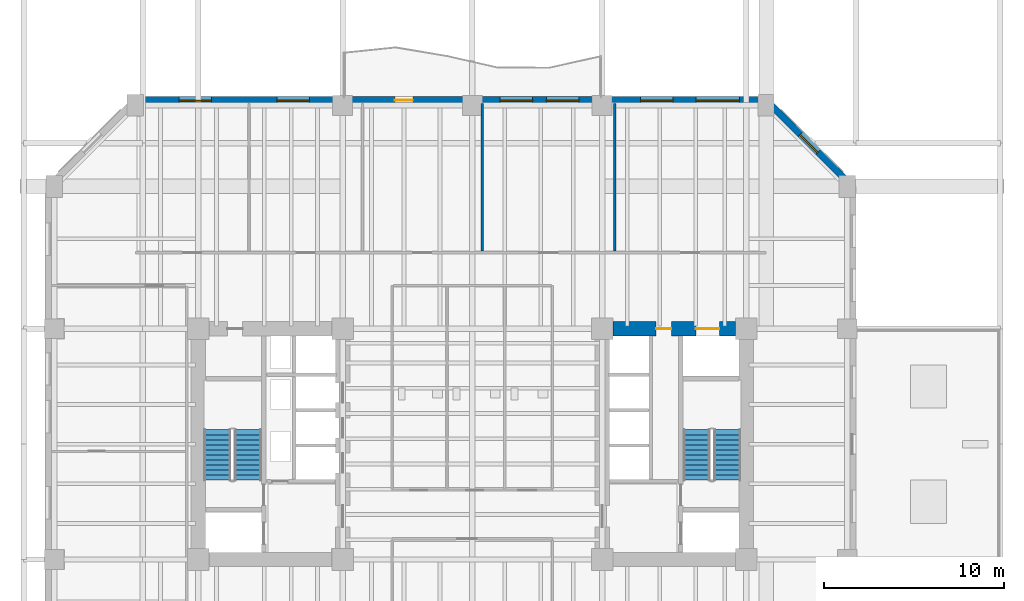
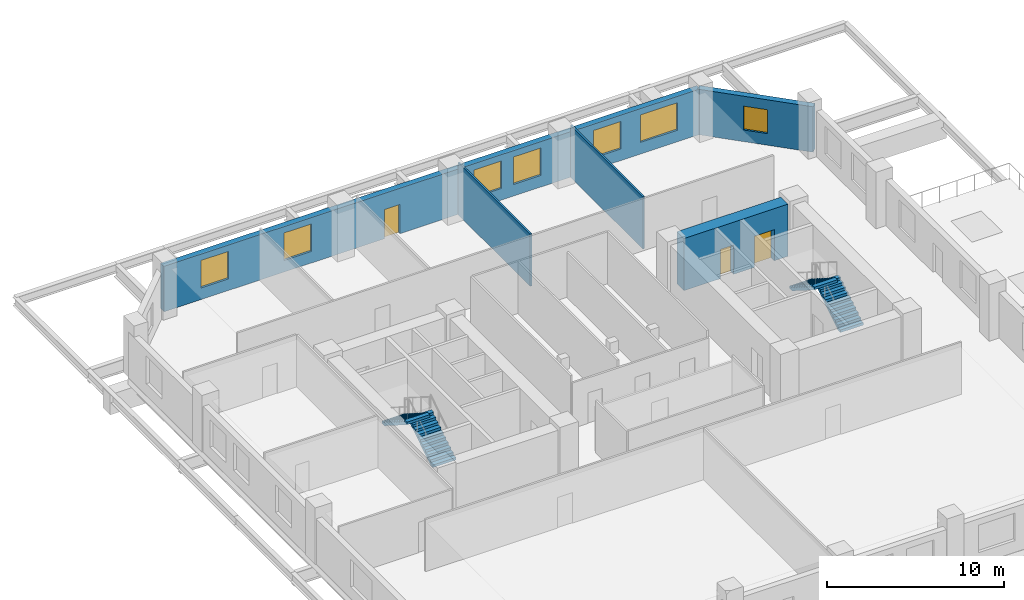
# One storey, part 6 of 11: 7 windows, 5 walls, 4 stair flights, 3 doors, 10 openings, 2 elements without a shape of their own.
"""IFC4 building model written with IfcOpenShell, lengths in metres."""

from ifc_helpers import new_model, si_unit, direction, frame, frame_2d, origin, place, context, subcontext, project, spatial, polyline, rectangle, outline, extrude, material, layer, layer_set, type_object, element, fill, aggregate, save


model = new_model("IFC4")

# Units and contexts
model_context = context("Model", 3, precision=1e-05, world=origin(), true_north=direction((0.0, 1.0)))
body_context = subcontext(model_context, "Body", "Model", "MODEL_VIEW")
ifc_project = project(units=[si_unit("LENGTHUNIT", "METRE"), si_unit("AREAUNIT", "SQUARE_METRE"), si_unit("VOLUMEUNIT", "CUBIC_METRE"), si_unit("PLANEANGLEUNIT", "RADIAN"), si_unit("MASSUNIT", "GRAM", prefix="KILO")], contexts=[model_context])

# Site, building, storey
site_placement = place(None, origin())
site = spatial("IfcSite", under=ifc_project, at=site_placement, CompositionType="ELEMENT")
building_placement = place(site_placement, origin())
building = spatial("IfcBuilding", under=site, at=building_placement, Name="Kranthara Brick Stack", CompositionType="ELEMENT")
storey_placement = place(building_placement, frame((0.0, 0.0, 24.300048828125)))
storey = spatial("IfcBuildingStorey", under=building, at=storey_placement, Name="L05", CompositionType="ELEMENT", Elevation=24.300048828125)

# Wall, openings, door, windows
ifc_material_1 = material(Name="Kiln-fired clay brick masonry M15", Category="masonry")
ifc_layer_1 = layer(ifc_material_1, 0.3798828125)
ifc_layer_set_1 = layer_set([ifc_layer_1], Name="Kiln-fired clay brick masonry M15")
wall_type_1 = type_object("IfcWallType", Name="WL-BRK-PIER-380", PredefinedType="STANDARD", material=ifc_layer_set_1)
wall_1_placement = place(storey_placement, frame((9.300048828125, 46.2900390625, 0.0), z_axis=(0.0, 0.0, 1.0), x_axis=(1.0, 0.0, 0.0)))
wall_1 = element("IfcWall", 1, at=wall_1_placement, inside=storey, type_object=wall_type_1, Name="L05 Exterior Brick Facade Wall NORTH 1", PredefinedType="STANDARD", context=body_context, shape_type="SweptSolid", body=[
    extrude(rectangle(XDim=35.0, YDim=0.3798828125, at=frame_2d((17.5, 0.0))), origin(), (0.0, 0.0, 1.0), 3.135009765625),
])
opening_1_placement = place(wall_1_placement, frame((14.39990234375, 0.0, 0.0)))
opening_1 = element("IfcOpeningElement", 2, at=opening_1_placement, cuts=wall_1, Name="Opening D03", PredefinedType="OPENING", context=body_context, shape_type="SweptSolid", body=[
    extrude(rectangle(XDim=1.0, YDim=2.02001953125, at=frame_2d((0.5, 1.010009765625))), frame((0.0, 0.199951171875, 0.0), z_axis=(0.0, -1.0, 0.0), x_axis=(1.0, 0.0, 0.0)), (0.0, 0.0, 1.0), 0.39990234375),
])
opening_2_placement = place(wall_1_placement, frame((2.425048828125, 0.0, 0.800048828125)))
opening_2 = element("IfcOpeningElement", 3, at=opening_2_placement, cuts=wall_1, Name="Opening WN01", PredefinedType="OPENING", context=body_context, shape_type="SweptSolid", body=[
    extrude(rectangle(XDim=1.800048828125, YDim=1.89990234375, at=frame_2d((0.89990234375, 0.949951171875))), frame((0.0, 0.199951171875, 0.0), z_axis=(0.0, -1.0, 0.0), x_axis=(1.0, 0.0, 0.0)), (0.0, 0.0, 1.0), 0.39990234375),
])
opening_3_placement = place(wall_1_placement, frame((7.85009765625, 0.0, 0.800048828125)))
opening_3 = element("IfcOpeningElement", 4, at=opening_3_placement, cuts=wall_1, Name="Opening WN01", PredefinedType="OPENING", context=body_context, shape_type="SweptSolid", body=[
    extrude(rectangle(XDim=1.800048828125, YDim=1.89990234375, at=frame_2d((0.89990234375, 0.949951171875))), frame((0.0, 0.199951171875, 0.0), z_axis=(0.0, -1.0, 0.0), x_axis=(1.0, 0.0, 0.0)), (0.0, 0.0, 1.0), 0.39990234375),
])
opening_4_placement = place(wall_1_placement, frame((20.240966796875, 0.0, 0.800048828125)))
opening_4 = element("IfcOpeningElement", 5, at=opening_4_placement, cuts=wall_1, Name="Opening WN01", PredefinedType="OPENING", context=body_context, shape_type="SweptSolid", body=[
    extrude(rectangle(XDim=1.800048828125, YDim=1.89990234375, at=frame_2d((0.89990234375, 0.949951171875))), frame((0.0, 0.199951171875, 0.0), z_axis=(0.0, -1.0, 0.0), x_axis=(1.0, 0.0, 0.0)), (0.0, 0.0, 1.0), 0.39990234375),
])
opening_5_placement = place(wall_1_placement, frame((22.80908203125, 0.0, 0.800048828125)))
opening_5 = element("IfcOpeningElement", 6, at=opening_5_placement, cuts=wall_1, Name="Opening WN01", PredefinedType="OPENING", context=body_context, shape_type="SweptSolid", body=[
    extrude(rectangle(XDim=1.800048828125, YDim=1.89990234375, at=frame_2d((0.89990234375, 0.949951171875))), frame((0.0, 0.199951171875, 0.0), z_axis=(0.0, -1.0, 0.0), x_axis=(1.0, 0.0, 0.0)), (0.0, 0.0, 1.0), 0.39990234375),
])
opening_6_placement = place(wall_1_placement, frame((28.032958984375, 0.0, 0.800048828125)))
opening_6 = element("IfcOpeningElement", 7, at=opening_6_placement, cuts=wall_1, Name="Opening WN01", PredefinedType="OPENING", context=body_context, shape_type="SweptSolid", body=[
    extrude(rectangle(XDim=1.800048828125, YDim=1.89990234375, at=frame_2d((0.89990234375, 0.949951171875))), frame((0.0, 0.199951171875, 0.0), z_axis=(0.0, -1.0, 0.0), x_axis=(1.0, 0.0, 0.0)), (0.0, 0.0, 1.0), 0.39990234375),
])
opening_7_placement = place(wall_1_placement, frame((31.116943359375, 0.0, 0.800048828125)))
opening_7 = element("IfcOpeningElement", 8, at=opening_7_placement, cuts=wall_1, Name="Opening WN02", PredefinedType="OPENING", context=body_context, shape_type="SweptSolid", body=[
    extrude(rectangle(XDim=2.39990234375, YDim=1.89990234375, at=frame_2d((1.199951171875, 0.949951171875))), frame((0.0, 0.199951171875, 0.0), z_axis=(0.0, -1.0, 0.0), x_axis=(1.0, 0.0, 0.0)), (0.0, 0.0, 1.0), 0.39990234375),
])
ifc_material_2 = material(Name="Bronze anodised aluminium and laminated glass", Category="aluminium")
door_type_1 = type_object("IfcDoorType", Name="DR-BALC-1000", OperationType="NOTDEFINED", PredefinedType="DOOR", material=ifc_material_2)
door_1_placement = place(opening_1_placement, origin())
door_1 = element("IfcDoor", 9, at=door_1_placement, inside=storey, type_object=door_type_1, Name="L05 North Balcony Terrace Door", OperationType="SINGLE_SWING_RIGHT", OverallHeight=2.02001953125, OverallWidth=1.0, PredefinedType="DOOR", context=body_context, shape_type="SweptSolid", body=[
    extrude(rectangle(XDim=1.0, YDim=2.02001953125, at=frame_2d((0.5, 1.010009765625))), frame((0.0, 0.02490234375, 0.0), z_axis=(0.0, -1.0, 0.0), x_axis=(1.0, 0.0, 0.0)), (0.0, 0.0, 1.0), 0.050048828125),
])
fill(opening_1, door_1)
ifc_material_3 = material(Name="Double-glazed low-E solar control glass", Category="glass")
window_type_1 = type_object("IfcWindowType", Name="WN-OFF-1800x2000", PartitioningType="SINGLE_PANEL", PredefinedType="WINDOW", material=ifc_material_3)
window_1_placement = place(opening_2_placement, origin())
window_1 = element("IfcWindow", 10, at=window_1_placement, inside=storey, type_object=window_type_1, Name="L05 North Deep-Set Brick Window 01", OverallHeight=1.89990234375, OverallWidth=1.800048828125, PartitioningType="SINGLE_PANEL", PredefinedType="WINDOW", context=body_context, shape_type="SweptSolid", body=[
    extrude(rectangle(XDim=1.800048828125, YDim=1.89990234375, at=frame_2d((0.89990234375, 0.949951171875))), frame((0.0, -0.010009765625, 0.0), z_axis=(0.0, -1.0, 0.0), x_axis=(1.0, 0.0, 0.0)), (0.0, 0.0, 1.0), 0.06005859375),
])
fill(opening_2, window_1)
window_2_placement = place(opening_3_placement, origin())
window_2 = element("IfcWindow", 11, at=window_2_placement, inside=storey, type_object=window_type_1, Name="L05 North Deep-Set Brick Window 02", OverallHeight=1.89990234375, OverallWidth=1.800048828125, PartitioningType="SINGLE_PANEL", PredefinedType="WINDOW", context=body_context, shape_type="SweptSolid", body=[
    extrude(rectangle(XDim=1.800048828125, YDim=1.89990234375, at=frame_2d((0.89990234375, 0.949951171875))), frame((0.0, -0.010009765625, 0.0), z_axis=(0.0, -1.0, 0.0), x_axis=(1.0, 0.0, 0.0)), (0.0, 0.0, 1.0), 0.06005859375),
])
fill(opening_3, window_2)
window_3_placement = place(opening_4_placement, origin())
window_3 = element("IfcWindow", 12, at=window_3_placement, inside=storey, type_object=window_type_1, Name="L05 North Deep-Set Brick Window 03", OverallHeight=1.89990234375, OverallWidth=1.800048828125, PartitioningType="SINGLE_PANEL", PredefinedType="WINDOW", context=body_context, shape_type="SweptSolid", body=[
    extrude(rectangle(XDim=1.800048828125, YDim=1.89990234375, at=frame_2d((0.89990234375, 0.949951171875))), frame((0.0, -0.010009765625, 0.0), z_axis=(0.0, -1.0, 0.0), x_axis=(1.0, 0.0, 0.0)), (0.0, 0.0, 1.0), 0.06005859375),
])
fill(opening_4, window_3)
window_4_placement = place(opening_5_placement, origin())
window_4 = element("IfcWindow", 13, at=window_4_placement, inside=storey, type_object=window_type_1, Name="L05 North Deep-Set Brick Window 04", OverallHeight=1.89990234375, OverallWidth=1.800048828125, PartitioningType="SINGLE_PANEL", PredefinedType="WINDOW", context=body_context, shape_type="SweptSolid", body=[
    extrude(rectangle(XDim=1.800048828125, YDim=1.89990234375, at=frame_2d((0.89990234375, 0.949951171875))), frame((0.0, -0.010009765625, 0.0), z_axis=(0.0, -1.0, 0.0), x_axis=(1.0, 0.0, 0.0)), (0.0, 0.0, 1.0), 0.06005859375),
])
fill(opening_5, window_4)
window_5_placement = place(opening_6_placement, origin())
window_5 = element("IfcWindow", 14, at=window_5_placement, inside=storey, type_object=window_type_1, Name="L05 North Deep-Set Brick Window 05", OverallHeight=1.89990234375, OverallWidth=1.800048828125, PartitioningType="SINGLE_PANEL", PredefinedType="WINDOW", context=body_context, shape_type="SweptSolid", body=[
    extrude(rectangle(XDim=1.800048828125, YDim=1.89990234375, at=frame_2d((0.89990234375, 0.949951171875))), frame((0.0, -0.010009765625, 0.0), z_axis=(0.0, -1.0, 0.0), x_axis=(1.0, 0.0, 0.0)), (0.0, 0.0, 1.0), 0.06005859375),
])
fill(opening_6, window_5)
ifc_material_4 = material(Name="Double-glazed low-E solar control glass", Category="glass")
window_type_2 = type_object("IfcWindowType", Name="WN-OFF-2400x2000", PartitioningType="DOUBLE_PANEL_VERTICAL", PredefinedType="WINDOW", material=ifc_material_4)
window_6_placement = place(opening_7_placement, origin())
window_6 = element("IfcWindow", 15, at=window_6_placement, inside=storey, type_object=window_type_2, Name="L05 North Deep-Set Brick Window 06", OverallHeight=1.89990234375, OverallWidth=2.39990234375, PartitioningType="SINGLE_PANEL", PredefinedType="WINDOW", context=body_context, shape_type="SweptSolid", body=[
    extrude(rectangle(XDim=2.39990234375, YDim=1.89990234375, at=frame_2d((1.199951171875, 0.949951171875))), frame((0.0, -0.010009765625, 0.0), z_axis=(0.0, -1.0, 0.0), x_axis=(1.0, 0.0, 0.0)), (0.0, 0.0, 1.0), 0.06005859375),
])
fill(opening_7, window_6)

# Wall, opening, window
wall_2_placement = place(storey_placement, frame((44.300048828125, 46.2900390625, 0.0), z_axis=(0.0, 0.0, 1.0), x_axis=(0.707106781187, -0.707106781187, 0.0)))
wall_2 = element("IfcWall", 16, at=wall_2_placement, inside=storey, type_object=wall_type_1, Name="L05 Exterior Brick Facade Wall NE 1", PredefinedType="STANDARD", context=body_context, shape_type="SweptSolid", body=[
    extrude(rectangle(XDim=6.774169921875, YDim=0.3798828125, at=frame_2d((3.38720703125, 0.0))), origin(), (0.0, 0.0, 1.0), 3.135009765625),
])
opening_8_placement = place(wall_2_placement, frame((2.68701171875, 0.0, 0.800048828125)))
opening_8 = element("IfcOpeningElement", 17, at=opening_8_placement, cuts=wall_2, Name="Opening WN10", PredefinedType="OPENING", context=body_context, shape_type="SweptSolid", body=[
    extrude(rectangle(XDim=1.39990234375, YDim=1.64990234375, at=frame_2d((0.699951171875, 0.824951171875))), frame((0.0, 0.199951171875, 0.0), z_axis=(0.0, -1.0, 0.0), x_axis=(1.0, 0.0, 0.0)), (0.0, 0.0, 1.0), 0.39990234375),
])
ifc_material_5 = material(Name="Double-glazed low-E solar control glass", Category="glass")
window_type_3 = type_object("IfcWindowType", Name="WN-CHM-1400x1750", PartitioningType="SINGLE_PANEL", PredefinedType="WINDOW", material=ifc_material_5)
window_7_placement = place(opening_8_placement, origin())
window_7 = element("IfcWindow", 18, at=window_7_placement, inside=storey, type_object=window_type_3, Name="L05 NE Chamfer Corner Window", OverallHeight=1.64990234375, OverallWidth=1.39990234375, PartitioningType="SINGLE_PANEL", PredefinedType="WINDOW", context=body_context, shape_type="SweptSolid", body=[
    extrude(rectangle(XDim=1.39990234375, YDim=1.64990234375, at=frame_2d((0.699951171875, 0.824951171875))), frame((0.0, -0.010009765625, 0.0), z_axis=(0.0, -1.0, 0.0), x_axis=(1.0, 0.0, 0.0)), (0.0, 0.0, 1.0), 0.06005859375),
])
fill(opening_8, window_7)

# Wall, openings, doors
ifc_material_6 = material(Name="Concrete C70/85", Category="concrete")
ifc_layer_2 = layer(ifc_material_6, 0.800048828125)
ifc_layer_set_2 = layer_set([ifc_layer_2], Name="Concrete C70/85")
wall_type_2 = type_object("IfcWallType", Name="WL-CORE-800", PredefinedType="SHEAR", material=ifc_layer_set_2)
wall_3_placement = place(storey_placement, frame((35.804931640625, 33.60009765625, 0.0), z_axis=(0.0, 0.0, 1.0), x_axis=(1.0, 0.0, 0.0)))
wall_3 = element("IfcWall", 19, at=wall_3_placement, inside=storey, type_object=wall_type_2, Name="L05 East Core Shear Wall North", PredefinedType="SHEAR", context=body_context, shape_type="SweptSolid", body=[
    extrude(rectangle(XDim=6.7900390625, YDim=0.800048828125, at=frame_2d((3.39501953125, 0.0))), origin(), (0.0, 0.0, 1.0), 3.599853515625),
])
opening_9_placement = place(wall_3_placement, frame((4.594970703125, 0.0, 0.0)))
opening_9 = element("IfcOpeningElement", 20, at=opening_9_placement, cuts=wall_3, Name="Opening LD03", PredefinedType="OPENING", context=body_context, shape_type="SweptSolid", body=[
    extrude(rectangle(XDim=1.300048828125, YDim=2.14990234375, at=frame_2d((0.64990234375, 1.074951171875))), frame((0.0, 0.409912109375, 0.0), z_axis=(0.0, -1.0, 0.0), x_axis=(1.0, 0.0, 0.0)), (0.0, 0.0, 1.0), 0.820068359375),
])
opening_10_placement = place(wall_3_placement, frame((2.39501953125, 0.0, 0.0)))
opening_10 = element("IfcOpeningElement", 21, at=opening_10_placement, cuts=wall_3, Name="Opening D10", PredefinedType="OPENING", context=body_context, shape_type="SweptSolid", body=[
    extrude(rectangle(XDim=0.85009765625, YDim=2.02001953125, at=frame_2d((0.425048828125, 1.010009765625))), frame((0.0, 0.409912109375, 0.0), z_axis=(0.0, -1.0, 0.0), x_axis=(1.0, 0.0, 0.0)), (0.0, 0.0, 1.0), 0.820068359375),
])
ifc_material_7 = material(Name="Stainless steel sliding landing door", Category="steel")
door_type_2 = type_object("IfcDoorType", Name="DR-LD-SV1300", OperationType="DOUBLE_DOOR_SLIDING", PredefinedType="DOOR", material=ifc_material_7)
door_2_placement = place(opening_9_placement, origin())
door_2 = element("IfcDoor", 22, at=door_2_placement, inside=storey, type_object=door_type_2, Name="L05 Stretcher Service Lift SV-01 Landing Door", OperationType="DOUBLE_DOOR_SLIDING", OverallHeight=2.14990234375, OverallWidth=1.300048828125, PredefinedType="DOOR", context=body_context, shape_type="SweptSolid", body=[
    extrude(rectangle(XDim=1.300048828125, YDim=2.14990234375, at=frame_2d((0.64990234375, 1.074951171875))), frame((0.0, 0.02490234375, 0.0), z_axis=(0.0, -1.0, 0.0), x_axis=(1.0, 0.0, 0.0)), (0.0, 0.0, 1.0), 0.050048828125),
])
fill(opening_9, door_2)
ifc_material_8 = material(Name="Solid-core hardwood timber leaf in steel frame", Category="steel")
door_type_3 = type_object("IfcDoorType", Name="DR-RSR-850", OperationType="NOTDEFINED", PredefinedType="DOOR", material=ifc_material_8)
door_3_placement = place(opening_10_placement, origin())
door_3 = element("IfcDoor", 23, at=door_3_placement, inside=storey, type_object=door_type_3, Name="L05 East Core Service Room Door", OperationType="SINGLE_SWING_LEFT", OverallHeight=2.02001953125, OverallWidth=0.85009765625, PredefinedType="DOOR", context=body_context, shape_type="SweptSolid", body=[
    extrude(rectangle(XDim=0.85009765625, YDim=2.02001953125, at=frame_2d((0.425048828125, 1.010009765625))), frame((0.0, 0.02490234375, 0.0), z_axis=(0.0, -1.0, 0.0), x_axis=(1.0, 0.0, 0.0)), (0.0, 0.0, 1.0), 0.050048828125),
])
fill(opening_10, door_3)

# Walls
ifc_material_9 = material(Name="Acoustic gypsum plasterboard partition", Category="other")
ifc_layer_3 = layer(ifc_material_9, 0.1201171875)
ifc_layer_set_3 = layer_set([ifc_layer_3], Name="Acoustic gypsum plasterboard partition")
wall_type_3 = type_object("IfcWallType", Name="WL-PART-120", PredefinedType="PARTITIONING", material=ifc_layer_set_3)
for number, where, z_axis, x_axis, name in (
    (24, (28.550048828125, 37.919921875, 0.0), (0.0, 0.0, 1.0), (0.0, 1.0, 0.0), "L05 Interior Partition 016"),
    (25, (35.89990234375, 37.919921875, 0.0), (0.0, 0.0, 1.0), (0.0, 1.0, 0.0), "L05 Interior Partition 017"),
):
    element("IfcWall", number, at=place(storey_placement, frame(where, z_axis=z_axis, x_axis=x_axis)), inside=storey, type_object=wall_type_3, Name=name, PredefinedType="PARTITIONING", context=body_context, shape_type="SweptSolid", body=[
        extrude(rectangle(XDim=8.175048828125, YDim=0.1201171875, at=frame_2d((4.08740234375, 0.0))), origin(), (0.0, 0.0, 1.0), 3.599853515625),
    ])

# Stair, stair flights
ifc_material_10 = material(Name="Concrete C45/55", Category="concrete")
stair_type = type_object("IfcStairType", Name="ST-CORE-22R", PredefinedType="HALF_TURN_STAIR", material=ifc_material_10)
stair_1_placement = place(storey_placement, origin())
stair_1 = element("IfcStair", 26, at=stair_1_placement, inside=storey, type_object=stair_type, Name="L05 West Core Protected Exit Stair ST01", PredefinedType="HALF_TURN_STAIR")
ifc_material_11 = material(Name="Concrete C45/55", Category="concrete")
stair_flight_type = type_object("IfcStairFlightType", Name="SFL-RC-22R", PredefinedType="STRAIGHT", material=ifc_material_11)
stair_flight_1_placement = place(storey_placement, frame((15.550048828125, 25.199951171875, 0.0), z_axis=(0.0, 0.0, 1.0), x_axis=(0.0, 1.0, 0.0)))
stair_flight_1 = element("IfcStairFlight", 27, at=stair_flight_1_placement, type_object=stair_flight_type, Name="ST01 flight 1", NumberOfRisers=11, NumberOfTreads=10, PredefinedType="STRAIGHT", RiserHeight=0.177272727, TreadLength=0.28, context=body_context, shape_type="SweptSolid", body=[
    extrude(outline(polyline([(0.0, 0.0), (0.0, 0.17724609375), (0.280029296875, 0.17724609375), (0.280029296875, 0.3544921875), (0.56005859375, 0.3544921875), (0.56005859375, 0.53173828125), (0.840087890625, 0.53173828125), (0.840087890625, 0.708984375), (1.1201171875, 0.708984375), (1.1201171875, 0.886474609375), (1.39990234375, 0.886474609375), (1.39990234375, 1.063720703125), (1.679931640625, 1.063720703125), (1.679931640625, 1.240966796875), (1.9599609375, 1.240966796875), (1.9599609375, 1.418212890625), (2.239990234375, 1.418212890625), (2.239990234375, 1.595458984375), (2.52001953125, 1.595458984375), (2.52001953125, 1.772705078125), (2.800048828125, 1.772705078125), (2.800048828125, 1.949951171875), (2.800048828125, 1.59521484375), (0.2802734375, 0.0), (0.0, 0.0)])), frame((0.0, 0.75, 0.0), z_axis=(0.0, -1.0, 0.0), x_axis=(1.0, 0.0, 0.0)), (0.0, 0.0, 1.0), 1.5),
])
stair_flight_2_placement = place(storey_placement, frame((13.85009765625, 28.0, 1.949951171875), z_axis=(0.0, 0.0, 1.0), x_axis=(0.0, -1.0, 0.0)))
stair_flight_2 = element("IfcStairFlight", 28, at=stair_flight_2_placement, type_object=stair_flight_type, Name="ST01 flight 2", NumberOfRisers=11, NumberOfTreads=10, PredefinedType="STRAIGHT", RiserHeight=0.177272727, TreadLength=0.28, context=body_context, shape_type="SweptSolid", body=[
    extrude(outline(polyline([(0.0, 0.0), (0.0, 0.17724609375), (0.280029296875, 0.17724609375), (0.280029296875, 0.3544921875), (0.56005859375, 0.3544921875), (0.56005859375, 0.53173828125), (0.840087890625, 0.53173828125), (0.840087890625, 0.708984375), (1.1201171875, 0.708984375), (1.1201171875, 0.886474609375), (1.39990234375, 0.886474609375), (1.39990234375, 1.063720703125), (1.679931640625, 1.063720703125), (1.679931640625, 1.240966796875), (1.9599609375, 1.240966796875), (1.9599609375, 1.418212890625), (2.239990234375, 1.418212890625), (2.239990234375, 1.595458984375), (2.52001953125, 1.595458984375), (2.52001953125, 1.772705078125), (2.800048828125, 1.772705078125), (2.800048828125, 1.949951171875), (2.800048828125, 1.59521484375), (0.2802734375, 0.0), (0.0, 0.0)])), frame((0.0, 0.75, 0.0), z_axis=(0.0, -1.0, 0.0), x_axis=(1.0, 0.0, 0.0)), (0.0, 0.0, 1.0), 1.5),
])
aggregate(stair_1, [stair_flight_1, stair_flight_2])

stair_2_placement = place(storey_placement, origin())
stair_2 = element("IfcStair", 29, at=stair_2_placement, inside=storey, type_object=stair_type, Name="L05 East Core Protected Exit Stair ST02", PredefinedType="HALF_TURN_STAIR")
stair_flight_3_placement = place(storey_placement, frame((42.14990234375, 25.199951171875, 0.0), z_axis=(0.0, 0.0, 1.0), x_axis=(0.0, 1.0, 0.0)))
stair_flight_3 = element("IfcStairFlight", 30, at=stair_flight_3_placement, type_object=stair_flight_type, Name="ST02 flight 1", NumberOfRisers=11, NumberOfTreads=10, PredefinedType="STRAIGHT", RiserHeight=0.177272727, TreadLength=0.28, context=body_context, shape_type="SweptSolid", body=[
    extrude(outline(polyline([(0.0, 0.0), (0.0, 0.17724609375), (0.280029296875, 0.17724609375), (0.280029296875, 0.3544921875), (0.56005859375, 0.3544921875), (0.56005859375, 0.53173828125), (0.840087890625, 0.53173828125), (0.840087890625, 0.708984375), (1.1201171875, 0.708984375), (1.1201171875, 0.886474609375), (1.39990234375, 0.886474609375), (1.39990234375, 1.063720703125), (1.679931640625, 1.063720703125), (1.679931640625, 1.240966796875), (1.9599609375, 1.240966796875), (1.9599609375, 1.418212890625), (2.239990234375, 1.418212890625), (2.239990234375, 1.595458984375), (2.52001953125, 1.595458984375), (2.52001953125, 1.772705078125), (2.800048828125, 1.772705078125), (2.800048828125, 1.949951171875), (2.800048828125, 1.59521484375), (0.2802734375, 0.0), (0.0, 0.0)])), frame((0.0, 0.75, 0.0), z_axis=(0.0, -1.0, 0.0), x_axis=(1.0, 0.0, 0.0)), (0.0, 0.0, 1.0), 1.5),
])
stair_flight_4_placement = place(storey_placement, frame((40.449951171875, 28.0, 1.949951171875), z_axis=(0.0, 0.0, 1.0), x_axis=(0.0, -1.0, 0.0)))
stair_flight_4 = element("IfcStairFlight", 31, at=stair_flight_4_placement, type_object=stair_flight_type, Name="ST02 flight 2", NumberOfRisers=11, NumberOfTreads=10, PredefinedType="STRAIGHT", RiserHeight=0.177272727, TreadLength=0.28, context=body_context, shape_type="SweptSolid", body=[
    extrude(outline(polyline([(0.0, 0.0), (0.0, 0.17724609375), (0.280029296875, 0.17724609375), (0.280029296875, 0.3544921875), (0.56005859375, 0.3544921875), (0.56005859375, 0.53173828125), (0.840087890625, 0.53173828125), (0.840087890625, 0.708984375), (1.1201171875, 0.708984375), (1.1201171875, 0.886474609375), (1.39990234375, 0.886474609375), (1.39990234375, 1.063720703125), (1.679931640625, 1.063720703125), (1.679931640625, 1.240966796875), (1.9599609375, 1.240966796875), (1.9599609375, 1.418212890625), (2.239990234375, 1.418212890625), (2.239990234375, 1.595458984375), (2.52001953125, 1.595458984375), (2.52001953125, 1.772705078125), (2.800048828125, 1.772705078125), (2.800048828125, 1.949951171875), (2.800048828125, 1.59521484375), (0.2802734375, 0.0), (0.0, 0.0)])), frame((0.0, 0.75, 0.0), z_axis=(0.0, -1.0, 0.0), x_axis=(1.0, 0.0, 0.0)), (0.0, 0.0, 1.0), 1.5),
])
aggregate(stair_2, [stair_flight_3, stair_flight_4])

save(model, "model.ifc")
